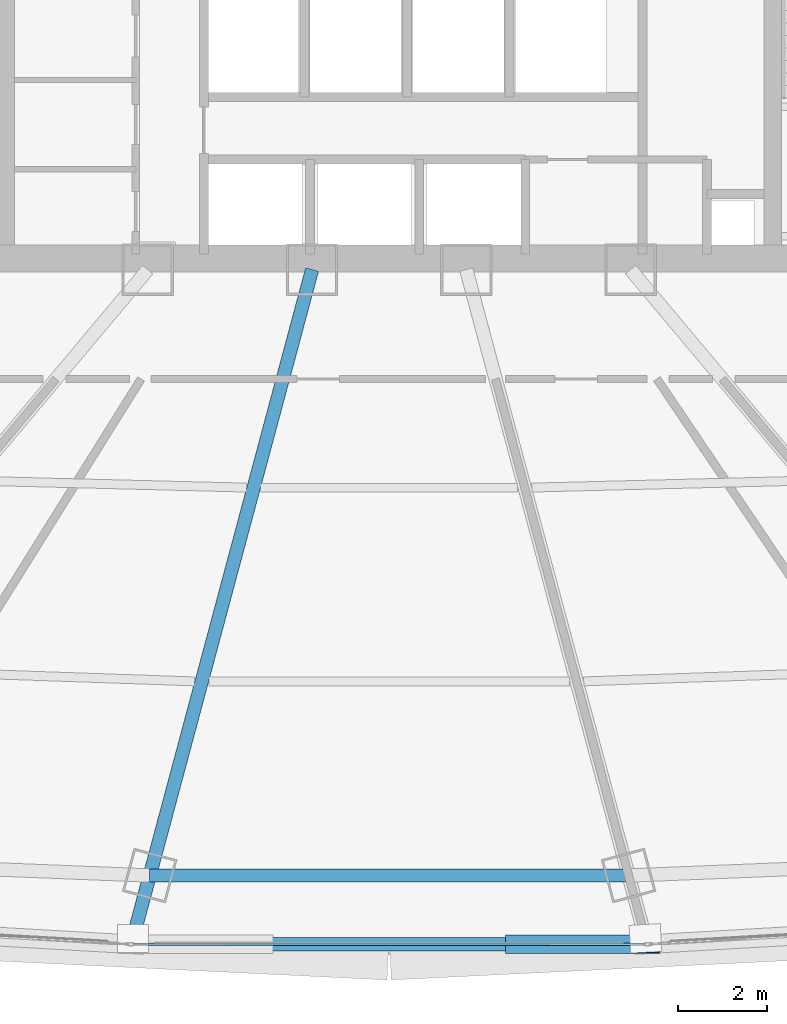
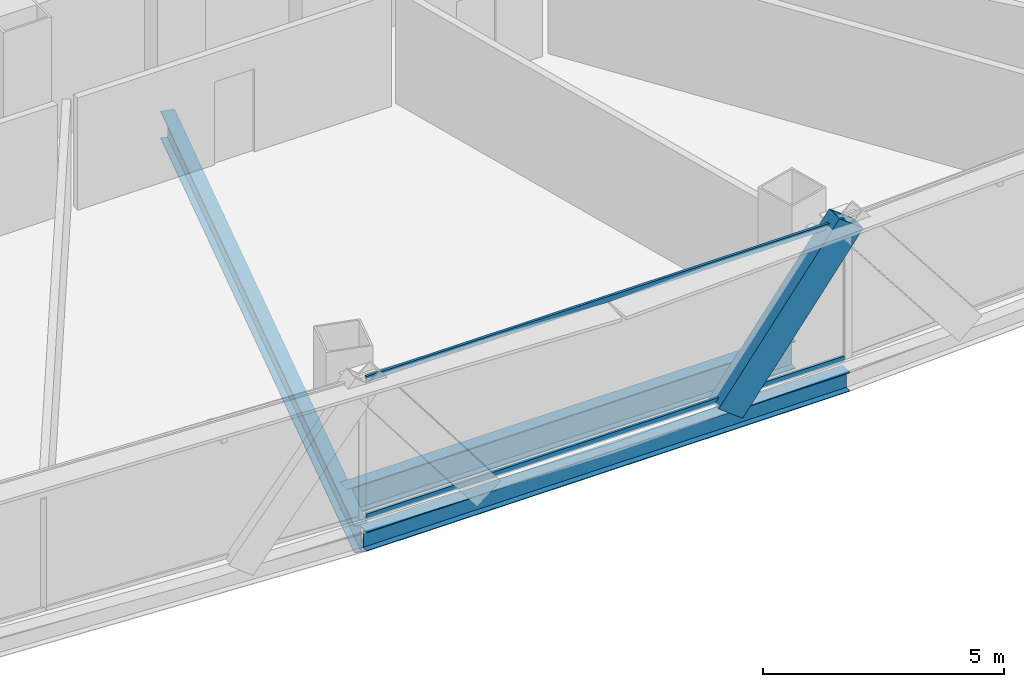
# One storey, part 9 of 36: 3 beams, 3 members, 1 element without a shape of its own.
"""IFC4 building model written with IfcOpenShell, lengths in metres."""

from ifc_helpers import new_model, si_unit, direction, frame, origin, origin_2d, place, context, subcontext, project, spatial, hollow_rectangle, i_section, extrude, source, transform, mapped, material, layer, layer_set, material_profile, profile_set, type_object, element, aggregate, save


model = new_model("IFC4")

# Units and contexts
model_context = context("Model", 3, precision=1e-05, world=origin(), true_north=direction((0.0, 1.0)))
body_context = subcontext(model_context, "Body", "Model", "MODEL_VIEW")
ifc_project = project(units=[si_unit("LENGTHUNIT", "METRE"), si_unit("AREAUNIT", "SQUARE_METRE"), si_unit("VOLUMEUNIT", "CUBIC_METRE"), si_unit("PLANEANGLEUNIT", "RADIAN"), si_unit("MASSUNIT", "GRAM", prefix="KILO"), si_unit("THERMODYNAMICTEMPERATUREUNIT", "KELVIN"), si_unit("POWERUNIT", "WATT")], contexts=[model_context])

# Site, building, storey
site_placement = place(None, origin())
site = spatial("IfcSite", under=ifc_project, at=site_placement, CompositionType="ELEMENT")
building_placement = place(site_placement, origin())
building = spatial("IfcBuilding", under=site, at=building_placement, Name="Yunzhuo Pagoda Commons", CompositionType="ELEMENT")
storey_placement = place(building_placement, frame((0.0, 0.0, 107.780029296875)))
storey = spatial("IfcBuildingStorey", under=building, at=storey_placement, Name="L27", CompositionType="ELEMENT", Elevation=107.780029296875)

# Beams
ifc_material_1 = material(Name="Structural steel Q355B", Category="steel")
ifc_material_profile_1 = material_profile(ifc_material_1, i_section(OverallWidth=0.300048828125, OverallDepth=0.699951171875, WebThickness=0.012939453125, FlangeThickness=0.02392578125, at=origin_2d()), Name="Structural steel Q355B")
ifc_profile_set_1 = profile_set([ifc_material_profile_1], Name="Structural steel Q355B")
beam_type_1 = type_object("IfcBeamType", Name="B-RG1 Beam HN 700x300x13x24", PredefinedType="BEAM", material=ifc_profile_set_1)
shared_shape_1 = source(origin(), body_context, "Body", "SweptSolid", [
    extrude(i_section(OverallWidth=0.300048828125, OverallDepth=0.699951171875, WebThickness=0.012939453125, FlangeThickness=0.02392578125, at=origin_2d()), origin(), (0.0, 0.0, 1.0), 10.73486328125),
])
beam_1_placement = place(storey_placement, frame((42.632568359375, 13.66845703125, -0.610107421875), z_axis=(1.0, 0.0, 0.0), x_axis=(0.0, 1.0, 0.0)))
element("IfcBeam", 1, at=beam_1_placement, inside=storey, type_object=beam_type_1, Name="L27 column-ring beam 2", PredefinedType="BEAM", context=body_context, shape_type="MappedRepresentation", body=[
    mapped(shared_shape_1, transform((0.0, 0.0, 0.0), scale=1.0)),
])
shared_shape_2 = source(origin(), body_context, "Body", "SweptSolid", [
    extrude(i_section(OverallWidth=0.300048828125, OverallDepth=0.699951171875, WebThickness=0.012939453125, FlangeThickness=0.02392578125, at=origin_2d()), origin(), (0.0, 0.0, 1.0), 15.500732421875),
])
beam_2_placement = place(storey_placement, frame((42.260009765625, 12.277587890625, -0.610107421875), z_axis=(0.258826097019, 0.965923936706, 0.0), x_axis=(-0.965923936706, 0.258826097019, 0.0)))
element("IfcBeam", 2, at=beam_2_placement, inside=storey, type_object=beam_type_1, Name="L27 radial floor girder F1C2", PredefinedType="BEAM", context=body_context, shape_type="MappedRepresentation", body=[
    mapped(shared_shape_2, transform((0.0, 0.0, 0.0), scale=1.0)),
])
ifc_material_profile_2 = material_profile(ifc_material_1, i_section(OverallWidth=0.300048828125, OverallDepth=0.488037109375, WebThickness=0.010986328125, FlangeThickness=0.01806640625, at=origin_2d()), Name="Structural steel Q355B")
ifc_profile_set_2 = profile_set([ifc_material_profile_2], Name="Structural steel Q355B")
beam_type_2 = type_object("IfcBeamType", Name="B-SP1 Beam HM 488x300x11x18", PredefinedType="BEAM", material=ifc_profile_set_2)
shared_shape_3 = source(origin(), body_context, "Body", "SweptSolid", [
    extrude(i_section(OverallWidth=0.300048828125, OverallDepth=0.488037109375, WebThickness=0.010986328125, FlangeThickness=0.01806640625, at=origin_2d()), origin(), (0.0, 0.0, 1.0), 11.560546875),
])
beam_3_placement = place(storey_placement, frame((42.2197265625, 12.1279296875, -0.504150390625), z_axis=(1.0, 0.0, 0.0), x_axis=(0.0, 1.0, 0.0)))
element("IfcBeam", 3, at=beam_3_placement, inside=storey, type_object=beam_type_2, Name="L27 facade edge spandrel beam F1.2", PredefinedType="BEAM", context=body_context, shape_type="MappedRepresentation", body=[
    mapped(shared_shape_3, transform((0.0, 0.0, 0.0), scale=1.0)),
])

# Member
ifc_material_2 = material(Name="Structural steel Q420B", Category="steel")
ifc_material_profile_3 = material_profile(ifc_material_2, hollow_rectangle(XDim=0.419921875, YDim=0.719970703125, WallThickness=0.028076171875, at=origin_2d()), Name="Structural steel Q420B")
ifc_profile_set_3 = profile_set([ifc_material_profile_3], Name="Structural steel Q420B")
member_type_1 = type_object("IfcMemberType", Name="M-DL1 Brace BOX 720x420x28", PredefinedType="BRACE", material=ifc_profile_set_3)
shared_shape_4 = source(origin(), body_context, "Body", "SweptSolid", [
    extrude(hollow_rectangle(XDim=0.419921875, YDim=0.719970703125, WallThickness=0.028076171875, at=origin_2d()), origin(), (0.0, 0.0, 1.0), 4.77392578125),
])
member_1_placement = place(storey_placement, frame((50.89013671875, 12.1279296875, -0.259765625), z_axis=(0.605386636078, 0.0, 0.795931542821), x_axis=(0.0, 1.0, 0.0)))
element("IfcMember", 4, at=member_1_placement, inside=storey, type_object=member_type_1, Name="L27 facade diamond brace F1.2R", PredefinedType="BRACE", context=body_context, shape_type="MappedRepresentation", body=[
    mapped(shared_shape_4, transform((0.0, 0.0, 0.0), scale=1.0)),
])

# Curtain wall, members
ifc_material_3 = material(Name="Anodized aluminium 6063-T6", Category="aluminium")
ifc_layer = layer(ifc_material_3, 0.1650390625)
ifc_layer_set = layer_set([ifc_layer], Name="Anodized aluminium 6063-T6")
curtain_wall_type = type_object("IfcCurtainWallType", Name="CW-LOW Low-Zone Ribbon Curtain Wall", PredefinedType="NOTDEFINED", material=ifc_layer_set)
curtain_wall_placement = place(storey_placement, origin())
curtain_wall = element("IfcCurtainWall", 5, at=curtain_wall_placement, inside=storey, type_object=curtain_wall_type, Name="L27 curtain wall CW-L27-F1B3", PredefinedType="NOTDEFINED")
ifc_material_profile_4 = material_profile(ifc_material_3, hollow_rectangle(XDim=0.06005859375, YDim=0.139892578125, WallThickness=0.00341796875, at=origin_2d()), Name="Anodized aluminium 6063-T6")
ifc_profile_set_4 = profile_set([ifc_material_profile_4], Name="Anodized aluminium 6063-T6")
member_type_2 = type_object("IfcMemberType", Name="CW-LOW-T Transom RHS 140x60x3.5", PredefinedType="USERDEFINED", material=ifc_profile_set_4)
shared_shape_5 = source(origin(), body_context, "Body", "SweptSolid", [
    extrude(hollow_rectangle(XDim=0.06005859375, YDim=0.139892578125, WallThickness=0.00341796875, at=origin_2d()), origin(), (0.0, 0.0, 1.0), 11.43017578125),
])
member_2_placement = place(storey_placement, frame((42.284912109375, 12.1279296875, 0.030029296875), z_axis=(1.0, 0.0, 0.0), x_axis=(0.0, 1.0, 0.0)))
member_2 = element("IfcMember", 6, at=member_2_placement, type_object=member_type_2, Name="CW transom 1.1", ObjectType="TRANSOM", PredefinedType="USERDEFINED", context=body_context, shape_type="MappedRepresentation", body=[
    mapped(shared_shape_5, transform((0.0, 0.0, 0.0), scale=1.0)),
])
member_3_placement = place(storey_placement, frame((42.284912109375, 12.1279296875, 3.510009765625), z_axis=(1.0, 0.0, 0.0), x_axis=(0.0, 1.0, 0.0)))
member_3 = element("IfcMember", 7, at=member_3_placement, type_object=member_type_2, Name="CW transom 1.2", ObjectType="TRANSOM", PredefinedType="USERDEFINED", context=body_context, shape_type="MappedRepresentation", body=[
    mapped(shared_shape_5, transform((0.0, 0.0, 0.0), scale=1.0)),
])
aggregate(curtain_wall, [member_2, member_3])

save(model, "model.ifc")
